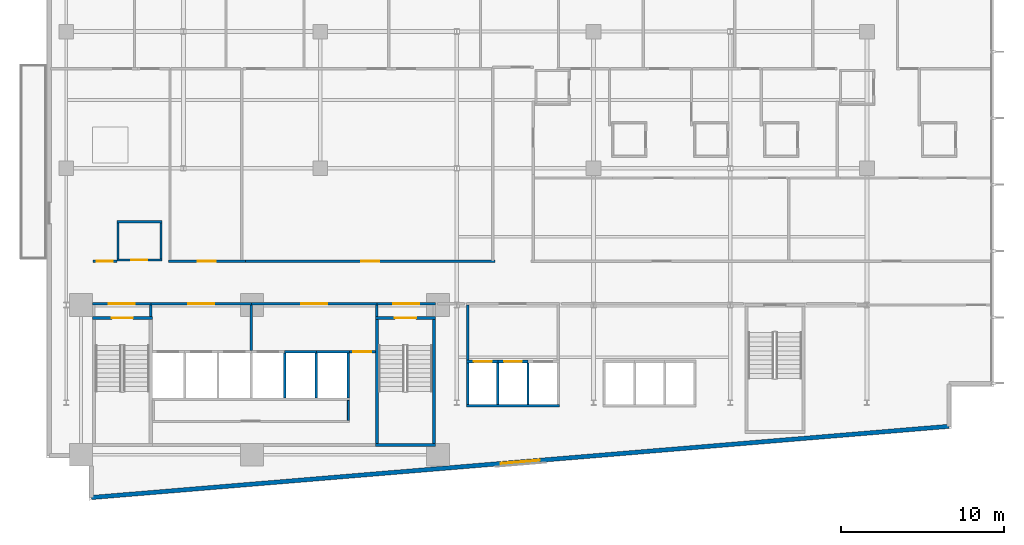
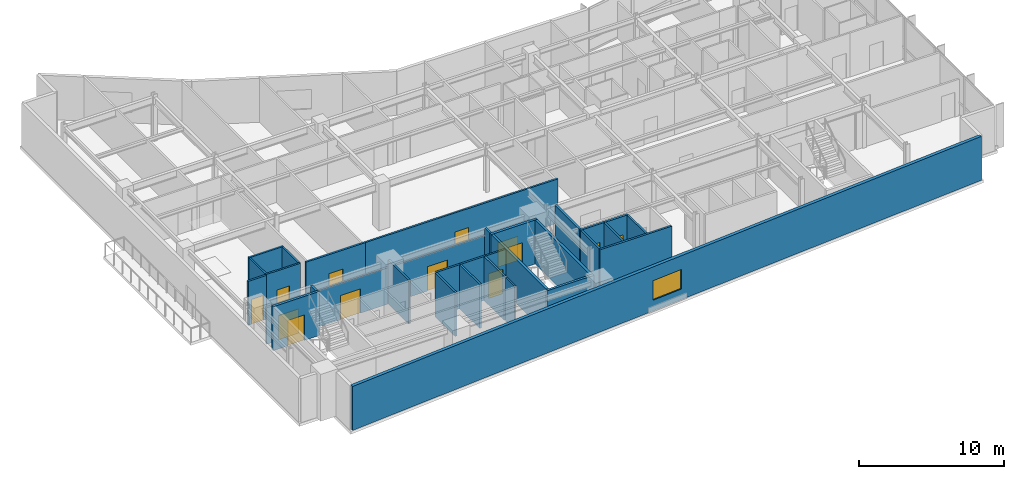
# One storey, part 12 of 22: 34 walls, 13 doors, 1 window, 14 openings.
"""IFC4 building model written with IfcOpenShell, lengths in metres."""

from ifc_helpers import new_model, si_unit, direction, frame, frame_2d, origin, place, context, subcontext, project, spatial, rectangle, extrude, material, layer, layer_set, type_object, element, fill, save


model = new_model("IFC4")

# Units and contexts
model_context = context("Model", 3, precision=1e-05, world=origin(), true_north=direction((0.0, 1.0)))
body_context = subcontext(model_context, "Body", "Model", "MODEL_VIEW")
ifc_project = project(units=[si_unit("LENGTHUNIT", "METRE"), si_unit("AREAUNIT", "SQUARE_METRE"), si_unit("VOLUMEUNIT", "CUBIC_METRE"), si_unit("PLANEANGLEUNIT", "RADIAN"), si_unit("MASSUNIT", "GRAM", prefix="KILO")], contexts=[model_context])

# Site, building, storey
site_placement = place(None, origin())
site = spatial("IfcSite", under=ifc_project, at=site_placement, CompositionType="ELEMENT")
building_placement = place(site_placement, origin())
building = spatial("IfcBuilding", under=site, at=building_placement, Name="Varnakote Quay Hospital", CompositionType="ELEMENT")
storey_placement = place(building_placement, frame((0.0, 0.0, 65.949951171875)))
storey = spatial("IfcBuildingStorey", under=building, at=storey_placement, Name="L16", CompositionType="ELEMENT", Elevation=65.949951171875)

# Wall, opening, door
ifc_material_1 = material(Name="Fire-rated acoustic gypsum stud wall", Category="gypsum")
ifc_layer_1 = layer(ifc_material_1, 0.159912109375)
ifc_layer_set_1 = layer_set([ifc_layer_1], Name="Fire-rated acoustic gypsum stud wall")
wall_type_1 = type_object("IfcWallType", Name="WL-COMP-160", PredefinedType="PARTITIONING", material=ifc_layer_set_1)
wall_1_placement = place(storey_placement, frame((2.800048828125, 12.080078125, 0.0), z_axis=(0.0, 0.0, 1.0), x_axis=(1.0, 0.0, 0.0)))
wall_1 = element("IfcWall", 1, at=wall_1_placement, inside=storey, type_object=wall_type_1, Name="L16 West Stair Vestibule Smoke Wall", PredefinedType="PARTITIONING", context=body_context, shape_type="SweptSolid", body=[
    extrude(rectangle(XDim=3.599853515625, YDim=0.159912109375, at=frame_2d((1.7998046875, 0.0))), origin(), (0.0, 0.0, 1.0), 3.072998046875),
])
opening_1_placement = place(wall_1_placement, frame((1.0, 0.0, 0.0)))
opening_1 = element("IfcOpeningElement", 2, at=opening_1_placement, cuts=wall_1, Name="Opening D-ST1L-L16", PredefinedType="OPENING", context=body_context, shape_type="SweptSolid", body=[
    extrude(rectangle(XDim=1.60009765625, YDim=2.050048828125, at=frame_2d((0.800048828125, 1.02490234375))), frame((0.0, 0.08984375, 0.0), z_axis=(0.0, -1.0, 0.0), x_axis=(1.0, 0.0, 0.0)), (0.0, 0.0, 1.0), 0.179931640625),
])
ifc_material_2 = material(Name="Fire-rated double smoke lobby door")
door_type_1 = type_object("IfcDoorType", Name="DR-LOBBY-FD60S-1600x2150", OperationType="NOTDEFINED", PredefinedType="DOOR", material=ifc_material_2)
door_1_placement = place(opening_1_placement, origin())
door_1 = element("IfcDoor", 3, at=door_1_placement, inside=storey, type_object=door_type_1, Name="L16 West Stair Vestibule Smoke Door", OperationType="DOUBLE_DOOR_SINGLE_SWING", OverallHeight=2.050048828125, OverallWidth=1.60009765625, PredefinedType="DOOR", context=body_context, shape_type="SweptSolid", body=[
    extrude(rectangle(XDim=1.60009765625, YDim=2.050048828125, at=frame_2d((0.800048828125, 1.02490234375))), frame((0.0, 0.02490234375, 0.0), z_axis=(0.0, -1.0, 0.0), x_axis=(1.0, 0.0, 0.0)), (0.0, 0.0, 1.0), 0.050048828125),
])
fill(opening_1, door_1)

# Wall
wall_2_placement = place(storey_placement, frame((6.39990234375, 11.300048828125, 0.0), z_axis=(0.0, 0.0, 1.0), x_axis=(0.0, 1.0, 0.0)))
element("IfcWall", 4, at=wall_2_placement, inside=storey, type_object=wall_type_1, Name="L16 Firefighting Lobby West Wall", PredefinedType="PARTITIONING", context=body_context, shape_type="SweptSolid", body=[
    extrude(rectangle(XDim=0.699951171875, YDim=0.159912109375, at=frame_2d((0.35009765625, 0.0))), origin(), (0.0, 0.0, 1.0), 3.7099609375),
])

# Wall, opening, door
wall_3_placement = place(storey_placement, frame((6.39990234375, 12.080078125, 0.0), z_axis=(0.0, 0.0, 1.0), x_axis=(1.0, 0.0, 0.0)))
wall_3 = element("IfcWall", 5, at=wall_3_placement, inside=storey, type_object=wall_type_1, Name="L16 Firefighting Lift Lobby Compartment Wall", PredefinedType="PARTITIONING", context=body_context, shape_type="SweptSolid", body=[
    extrude(rectangle(XDim=6.18017578125, YDim=0.159912109375, at=frame_2d((3.090087890625, 0.0))), origin(), (0.0, 0.0, 1.0), 3.072998046875),
])
opening_2_placement = place(wall_3_placement, frame((2.2900390625, 0.0, 0.0)))
opening_2 = element("IfcOpeningElement", 6, at=opening_2_placement, cuts=wall_3, Name="Opening D-FFL-L16", PredefinedType="OPENING", context=body_context, shape_type="SweptSolid", body=[
    extrude(rectangle(XDim=1.60009765625, YDim=2.050048828125, at=frame_2d((0.800048828125, 1.02490234375))), frame((0.0, 0.08984375, 0.0), z_axis=(0.0, -1.0, 0.0), x_axis=(1.0, 0.0, 0.0)), (0.0, 0.0, 1.0), 0.179931640625),
])
door_2_placement = place(opening_2_placement, origin())
door_2 = element("IfcDoor", 7, at=door_2_placement, inside=storey, type_object=door_type_1, Name="L16 Firefighting Smoke Vestibule Door", OperationType="DOUBLE_DOOR_SINGLE_SWING", OverallHeight=2.050048828125, OverallWidth=1.60009765625, PredefinedType="DOOR", context=body_context, shape_type="SweptSolid", body=[
    extrude(rectangle(XDim=1.60009765625, YDim=2.050048828125, at=frame_2d((0.800048828125, 1.02490234375))), frame((0.0, 0.02490234375, 0.0), z_axis=(0.0, -1.0, 0.0), x_axis=(1.0, 0.0, 0.0)), (0.0, 0.0, 1.0), 0.050048828125),
])
fill(opening_2, door_2)

# Wall
wall_4_placement = place(storey_placement, frame((12.580078125, 9.2099609375, 0.0), z_axis=(0.0, 0.0, 1.0), x_axis=(0.0, 1.0, 0.0)))
element("IfcWall", 8, at=wall_4_placement, inside=storey, type_object=wall_type_1, Name="L16 Firefighting to Service Lobby Wall", PredefinedType="PARTITIONING", context=body_context, shape_type="SweptSolid", body=[
    extrude(rectangle(XDim=2.7900390625, YDim=0.159912109375, at=frame_2d((1.39501953125, 0.0))), origin(), (0.0, 0.0, 1.0), 3.7099609375),
])

# Wall, opening, door
wall_5_placement = place(storey_placement, frame((12.580078125, 12.080078125, 0.0), z_axis=(0.0, 0.0, 1.0), x_axis=(1.0, 0.0, 0.0)))
wall_5 = element("IfcWall", 9, at=wall_5_placement, inside=storey, type_object=wall_type_1, Name="L16 Clinical Bed Lift Lobby Wall", PredefinedType="PARTITIONING", context=body_context, shape_type="SweptSolid", body=[
    extrude(rectangle(XDim=7.699951171875, YDim=0.159912109375, at=frame_2d((3.85009765625, 0.0))), origin(), (0.0, 0.0, 1.0), 3.072998046875),
])
opening_3_placement = place(wall_5_placement, frame((3.050048828125, 0.0, 0.0)))
opening_3 = element("IfcOpeningElement", 10, at=opening_3_placement, cuts=wall_5, Name="Opening D-SVL-L16", PredefinedType="OPENING", context=body_context, shape_type="SweptSolid", body=[
    extrude(rectangle(XDim=1.60009765625, YDim=2.050048828125, at=frame_2d((0.800048828125, 1.02490234375))), frame((0.0, 0.08984375, 0.0), z_axis=(0.0, -1.0, 0.0), x_axis=(1.0, 0.0, 0.0)), (0.0, 0.0, 1.0), 0.179931640625),
])
door_3_placement = place(opening_3_placement, origin())
door_3 = element("IfcDoor", 11, at=door_3_placement, inside=storey, type_object=door_type_1, Name="L16 Clinical Core Smoke Vestibule Door", OperationType="DOUBLE_DOOR_SINGLE_SWING", OverallHeight=2.050048828125, OverallWidth=1.60009765625, PredefinedType="DOOR", context=body_context, shape_type="SweptSolid", body=[
    extrude(rectangle(XDim=1.60009765625, YDim=2.050048828125, at=frame_2d((0.800048828125, 1.02490234375))), frame((0.0, 0.02490234375, 0.0), z_axis=(0.0, -1.0, 0.0), x_axis=(1.0, 0.0, 0.0)), (0.0, 0.0, 1.0), 0.050048828125),
])
fill(opening_3, door_3)

# Wall
wall_6_placement = place(storey_placement, frame((20.280029296875, 11.300048828125, 0.0), z_axis=(0.0, 0.0, 1.0), x_axis=(0.0, 1.0, 0.0)))
element("IfcWall", 12, at=wall_6_placement, inside=storey, type_object=wall_type_1, Name="L16 East Stair Vestibule Divider Wall", PredefinedType="PARTITIONING", context=body_context, shape_type="SweptSolid", body=[
    extrude(rectangle(XDim=0.699951171875, YDim=0.159912109375, at=frame_2d((0.35009765625, 0.0))), origin(), (0.0, 0.0, 1.0), 3.7099609375),
])

# Wall, opening, door
wall_7_placement = place(storey_placement, frame((20.280029296875, 12.080078125, 0.0), z_axis=(0.0, 0.0, 1.0), x_axis=(1.0, 0.0, 0.0)))
wall_7 = element("IfcWall", 13, at=wall_7_placement, inside=storey, type_object=wall_type_1, Name="L16 East Stair Vestibule Smoke Wall", PredefinedType="PARTITIONING", context=body_context, shape_type="SweptSolid", body=[
    extrude(rectangle(XDim=3.619873046875, YDim=0.159912109375, at=frame_2d((1.81005859375, 0.0))), origin(), (0.0, 0.0, 1.0), 3.072998046875),
])
opening_4_placement = place(wall_7_placement, frame((1.010009765625, 0.0, 0.0)))
opening_4 = element("IfcOpeningElement", 14, at=opening_4_placement, cuts=wall_7, Name="Opening D-ST2L-L16", PredefinedType="OPENING", context=body_context, shape_type="SweptSolid", body=[
    extrude(rectangle(XDim=1.60009765625, YDim=2.050048828125, at=frame_2d((0.800048828125, 1.02490234375))), frame((0.0, 0.08984375, 0.0), z_axis=(0.0, -1.0, 0.0), x_axis=(1.0, 0.0, 0.0)), (0.0, 0.0, 1.0), 0.179931640625),
])
door_4_placement = place(opening_4_placement, origin())
door_4 = element("IfcDoor", 15, at=door_4_placement, inside=storey, type_object=door_type_1, Name="L16 East Stair Vestibule Smoke Door", OperationType="DOUBLE_DOOR_SINGLE_SWING", OverallHeight=2.050048828125, OverallWidth=1.60009765625, PredefinedType="DOOR", context=body_context, shape_type="SweptSolid", body=[
    extrude(rectangle(XDim=1.60009765625, YDim=2.050048828125, at=frame_2d((0.800048828125, 1.02490234375))), frame((0.0, 0.02490234375, 0.0), z_axis=(0.0, -1.0, 0.0), x_axis=(1.0, 0.0, 0.0)), (0.0, 0.0, 1.0), 0.050048828125),
])
fill(opening_4, door_4)

# Wall
wall_8_placement = place(storey_placement, frame((25.8701171875, 8.610107421875, 0.0), z_axis=(0.0, 0.0, 1.0), x_axis=(0.0, 1.0, 0.0)))
element("IfcWall", 16, at=wall_8_placement, inside=storey, type_object=wall_type_1, Name="L16 Low-Rise Lift Lobby West Wall", PredefinedType="PARTITIONING", context=body_context, shape_type="SweptSolid", body=[
    extrude(rectangle(XDim=3.389892578125, YDim=0.159912109375, at=frame_2d((1.69482421875, 0.0))), origin(), (0.0, 0.0, 1.0), 3.7099609375),
])

# Wall, opening, window
ifc_material_3 = material(Name="Precast concrete N50 (f'c 50 MPa)", Category="concrete")
ifc_layer_2 = layer(ifc_material_3, 0.260009765625)
ifc_layer_set_2 = layer_set([ifc_layer_2], Name="Precast concrete N50 (f'c 50 MPa)")
wall_type_2 = type_object("IfcWallType", Name="WL-EXT-BRICK-260", PredefinedType="STANDARD", material=ifc_layer_set_2)
wall_9_placement = place(storey_placement, frame((2.760009765625, 0.173828125, 0.0), z_axis=(0.0, 0.0, 1.0), x_axis=(0.996571478456, 0.082736257641, 0.0)))
wall_9 = element("IfcWall", 17, at=wall_9_placement, inside=storey, type_object=wall_type_2, Name="L16 Brick-Faced Precast Exterior Wall", PredefinedType="STANDARD", context=body_context, shape_type="SweptSolid", body=[
    extrude(rectangle(XDim=52.861083984375, YDim=0.260009765625, at=frame_2d((26.4306640625, 0.0))), origin(), (0.0, 0.0, 1.0), 3.7099609375),
])
opening_5_placement = place(wall_9_placement, frame((25.230712890625, 0.0, 0.89990234375)))
opening_5 = element("IfcOpeningElement", 18, at=opening_5_placement, cuts=wall_9, Name="Opening WN-0078", PredefinedType="OPENING", context=body_context, shape_type="SweptSolid", body=[
    extrude(rectangle(XDim=2.39990234375, YDim=1.64990234375, at=frame_2d((1.199951171875, 0.824951171875))), frame((0.0, 0.139892578125, 0.0), z_axis=(0.0, -1.0, 0.0), x_axis=(1.0, 0.0, 0.0)), (0.0, 0.0, 1.0), 0.280029296875),
])
ifc_material_4 = material(Name="Double-glazed low-E solar glass", Category="glass")
window_type = type_object("IfcWindowType", Name="WIN-CLIN-2400x1650", PartitioningType="SINGLE_PANEL", PredefinedType="WINDOW", material=ifc_material_4)
window_placement = place(opening_5_placement, origin())
window = element("IfcWindow", 19, at=window_placement, inside=storey, type_object=window_type, Name="L16 Solar-Control Clinical Window", OverallHeight=1.64990234375, OverallWidth=2.39990234375, PartitioningType="SINGLE_PANEL", PredefinedType="WINDOW", context=body_context, shape_type="SweptSolid", body=[
    extrude(rectangle(XDim=2.39990234375, YDim=1.64990234375, at=frame_2d((1.199951171875, 0.824951171875))), frame((0.0, 0.030029296875, 0.0), z_axis=(0.0, -1.0, 0.0), x_axis=(1.0, 0.0, 0.0)), (0.0, 0.0, 1.0), 0.06005859375),
])
fill(opening_5, window)

# Walls
ifc_material_5 = material(Name="Concrete N50 (f'c 50 MPa)", Category="concrete")
ifc_layer_3 = layer(ifc_material_5, 0.14990234375)
ifc_layer_set_3 = layer_set([ifc_layer_3], Name="Concrete N50 (f'c 50 MPa)")
wall_type_3 = type_object("IfcWallType", Name="WL-SHAFT-N50-150", PredefinedType="SHEAR", material=ifc_layer_set_3)
for number, where, z_axis, x_axis, name in (
    (20, (14.625, 6.300048828125, 0.0), (0.0, 0.0, 1.0), (0.0, 1.0, 0.0), "L16 LF-SV2 Hoistway Divider Wall"),
    (21, (16.574951171875, 6.300048828125, 0.0), (0.0, 0.0, 1.0), (0.0, 1.0, 0.0), "L16 LF-PH1 Hoistway Divider Wall"),
):
    element("IfcWall", number, at=place(storey_placement, frame(where, z_axis=z_axis, x_axis=x_axis)), inside=storey, type_object=wall_type_3, Name=name, PredefinedType="SHEAR", context=body_context, shape_type="SweptSolid", body=[
        extrude(rectangle(XDim=2.75, YDim=0.14990234375, at=frame_2d((1.375, 0.0))), origin(), (0.0, 0.0, 1.0), 3.7099609375),
    ])
for number, where, z_axis, x_axis, name in (
    (22, (27.72509765625, 5.89990234375, 0.0), (0.0, 0.0, 1.0), (0.0, 1.0, 0.0), "L16 LF-PL1 Hoistway Divider Wall"),
    (23, (29.574951171875, 5.89990234375, 0.0), (0.0, 0.0, 1.0), (0.0, 1.0, 0.0), "L16 LF-PL2 Hoistway Divider Wall"),
):
    element("IfcWall", number, at=place(storey_placement, frame(where, z_axis=z_axis, x_axis=x_axis)), inside=storey, type_object=wall_type_3, Name=name, PredefinedType="SHEAR", context=body_context, shape_type="SweptSolid", body=[
        extrude(rectangle(XDim=2.550048828125, YDim=0.14990234375, at=frame_2d((1.27490234375, 0.0))), origin(), (0.0, 0.0, 1.0), 3.7099609375),
    ])
ifc_material_6 = material(Name="Concrete N50 (f'c 50 MPa)", Category="concrete")
ifc_layer_4 = layer(ifc_material_6, 0.159912109375)
ifc_layer_set_4 = layer_set([ifc_layer_4], Name="Concrete N50 (f'c 50 MPa)")
wall_type_4 = type_object("IfcWallType", Name="WL-SHAFT-N50-160", PredefinedType="SHEAR", material=ifc_layer_set_4)
wall_10_placement = place(storey_placement, frame((18.530029296875, 6.300048828125, 0.0), z_axis=(0.0, 0.0, 1.0), x_axis=(0.0, 1.0, 0.0)))
element("IfcWall", 24, at=wall_10_placement, inside=storey, type_object=wall_type_4, Name="L16 REAR Lift Bank East Shear Wall", PredefinedType="SHEAR", context=body_context, shape_type="SweptSolid", body=[
    extrude(rectangle(XDim=2.75, YDim=0.159912109375, at=frame_2d((1.375, 0.0))), origin(), (0.0, 0.0, 1.0), 3.7099609375),
])
wall_11_placement = place(storey_placement, frame((14.625, 9.1298828125, 0.0), z_axis=(0.0, 0.0, 1.0), x_axis=(1.0, 0.0, 0.0)))
element("IfcWall", 25, at=wall_11_placement, inside=storey, type_object=wall_type_4, Name="L16 LF-PH1 Hoistway Front Wall", PredefinedType="SHEAR", context=body_context, shape_type="SweptSolid", body=[
    extrude(rectangle(XDim=1.949951171875, YDim=0.159912109375, at=frame_2d((0.97509765625, 0.0))), origin(), (0.0, 0.0, 1.0), 3.7099609375),
])
wall_12_placement = place(storey_placement, frame((16.574951171875, 9.1298828125, 0.0), z_axis=(0.0, 0.0, 1.0), x_axis=(1.0, 0.0, 0.0)))
element("IfcWall", 26, at=wall_12_placement, inside=storey, type_object=wall_type_4, Name="L16 LF-PH2 Hoistway Front Wall", PredefinedType="SHEAR", context=body_context, shape_type="SweptSolid", body=[
    extrude(rectangle(XDim=2.03515625, YDim=0.159912109375, at=frame_2d((1.017578125, 0.0))), origin(), (0.0, 0.0, 1.0), 3.7099609375),
])
wall_13_placement = place(storey_placement, frame((25.7900390625, 5.820068359375, 0.0), z_axis=(0.0, 0.0, 1.0), x_axis=(1.0, 0.0, 0.0)))
element("IfcWall", 27, at=wall_13_placement, inside=storey, type_object=wall_type_4, Name="L16 LOW Lift Bank Back Shear Wall", PredefinedType="SHEAR", context=body_context, shape_type="SweptSolid", body=[
    extrude(rectangle(XDim=5.719970703125, YDim=0.159912109375, at=frame_2d((2.85986328125, 0.0))), origin(), (0.0, 0.0, 1.0), 3.7099609375),
])
wall_14_placement = place(storey_placement, frame((25.8701171875, 5.89990234375, 0.0), z_axis=(0.0, 0.0, 1.0), x_axis=(0.0, 1.0, 0.0)))
element("IfcWall", 28, at=wall_14_placement, inside=storey, type_object=wall_type_4, Name="L16 LOW Lift Bank West Shear Wall", PredefinedType="SHEAR", context=body_context, shape_type="SweptSolid", body=[
    extrude(rectangle(XDim=2.550048828125, YDim=0.159912109375, at=frame_2d((1.27490234375, 0.0))), origin(), (0.0, 0.0, 1.0), 3.7099609375),
])

# Wall, opening, door
wall_15_placement = place(storey_placement, frame((25.7900390625, 8.530029296875, 0.0), z_axis=(0.0, 0.0, 1.0), x_axis=(1.0, 0.0, 0.0)))
wall_15 = element("IfcWall", 29, at=wall_15_placement, inside=storey, type_object=wall_type_4, Name="L16 LF-PL1 Hoistway Front Wall", PredefinedType="SHEAR", context=body_context, shape_type="SweptSolid", body=[
    extrude(rectangle(XDim=1.93505859375, YDim=0.159912109375, at=frame_2d((0.967529296875, 0.0))), origin(), (0.0, 0.0, 1.0), 3.7099609375),
])
opening_6_placement = place(wall_15_placement, frame((0.4599609375, 0.0, 0.0)))
opening_6 = element("IfcOpeningElement", 30, at=opening_6_placement, cuts=wall_15, Name="Opening LD-PL1-L16", PredefinedType="OPENING", context=body_context, shape_type="SweptSolid", body=[
    extrude(rectangle(XDim=1.10009765625, YDim=2.14990234375, at=frame_2d((0.550048828125, 1.074951171875))), frame((0.0, 0.08984375, 0.0), z_axis=(0.0, -1.0, 0.0), x_axis=(1.0, 0.0, 0.0)), (0.0, 0.0, 1.0), 0.179931640625),
])
ifc_material_7 = material(Name="Brushed bronze lift landing sliding door")
door_type_2 = type_object("IfcDoorType", Name="DR-LIFT-LD-1100x2150", OperationType="NOTDEFINED", PredefinedType="DOOR", material=ifc_material_7)
door_5_placement = place(opening_6_placement, origin())
door_5 = element("IfcDoor", 31, at=door_5_placement, inside=storey, type_object=door_type_2, Name="L16 LF-PL1 Lift Landing Sliding Door", OperationType="SLIDING_TO_LEFT", OverallHeight=2.14990234375, OverallWidth=1.10009765625, PredefinedType="DOOR", context=body_context, shape_type="SweptSolid", body=[
    extrude(rectangle(XDim=1.10009765625, YDim=2.14990234375, at=frame_2d((0.550048828125, 1.074951171875))), frame((0.0, 0.02490234375, 0.0), z_axis=(0.0, -1.0, 0.0), x_axis=(1.0, 0.0, 0.0)), (0.0, 0.0, 1.0), 0.050048828125),
])
fill(opening_6, door_5)

wall_16_placement = place(storey_placement, frame((27.72509765625, 8.530029296875, 0.0), z_axis=(0.0, 0.0, 1.0), x_axis=(1.0, 0.0, 0.0)))
wall_16 = element("IfcWall", 32, at=wall_16_placement, inside=storey, type_object=wall_type_4, Name="L16 LF-PL2 Hoistway Front Wall", PredefinedType="SHEAR", context=body_context, shape_type="SweptSolid", body=[
    extrude(rectangle(XDim=1.849853515625, YDim=0.159912109375, at=frame_2d((0.9248046875, 0.0))), origin(), (0.0, 0.0, 1.0), 3.7099609375),
])
opening_7_placement = place(wall_16_placement, frame((0.375, 0.0, 0.0)))
opening_7 = element("IfcOpeningElement", 33, at=opening_7_placement, cuts=wall_16, Name="Opening LD-PL2-L16", PredefinedType="OPENING", context=body_context, shape_type="SweptSolid", body=[
    extrude(rectangle(XDim=1.10009765625, YDim=2.14990234375, at=frame_2d((0.550048828125, 1.074951171875))), frame((0.0, 0.08984375, 0.0), z_axis=(0.0, -1.0, 0.0), x_axis=(1.0, 0.0, 0.0)), (0.0, 0.0, 1.0), 0.179931640625),
])
door_6_placement = place(opening_7_placement, origin())
door_6 = element("IfcDoor", 34, at=door_6_placement, inside=storey, type_object=door_type_2, Name="L16 LF-PL2 Lift Landing Sliding Door", OperationType="SLIDING_TO_LEFT", OverallHeight=2.14990234375, OverallWidth=1.10009765625, PredefinedType="DOOR", context=body_context, shape_type="SweptSolid", body=[
    extrude(rectangle(XDim=1.10009765625, YDim=2.14990234375, at=frame_2d((0.550048828125, 1.074951171875))), frame((0.0, 0.02490234375, 0.0), z_axis=(0.0, -1.0, 0.0), x_axis=(1.0, 0.0, 0.0)), (0.0, 0.0, 1.0), 0.050048828125),
])
fill(opening_7, door_6)

ifc_material_8 = material(Name="Concrete N50 (f'c 50 MPa)", Category="concrete")
ifc_layer_5 = layer(ifc_material_8, 0.199951171875)
ifc_layer_set_5 = layer_set([ifc_layer_5], Name="Concrete N50 (f'c 50 MPa)")
wall_type_5 = type_object("IfcWallType", Name="WL-SHAFT-N50-200", PredefinedType="SHEAR", material=ifc_layer_set_5)
wall_17_placement = place(storey_placement, frame((2.800048828125, 11.199951171875, 0.0), z_axis=(0.0, 0.0, 1.0), x_axis=(1.0, 0.0, 0.0)))
wall_17 = element("IfcWall", 35, at=wall_17_placement, inside=storey, type_object=wall_type_5, Name="L16 Stair ST1 Exit Wall", PredefinedType="SHEAR", context=body_context, shape_type="SweptSolid", body=[
    extrude(rectangle(XDim=3.699951171875, YDim=0.199951171875, at=frame_2d((1.85009765625, 0.0))), origin(), (0.0, 0.0, 1.0), 3.7099609375),
])
opening_8_placement = place(wall_17_placement, frame((1.199951171875, 0.0, 0.0)))
opening_8 = element("IfcOpeningElement", 36, at=opening_8_placement, cuts=wall_17, Name="Opening D-ST1-L16", PredefinedType="OPENING", context=body_context, shape_type="SweptSolid", body=[
    extrude(rectangle(XDim=1.300048828125, YDim=2.14990234375, at=frame_2d((0.64990234375, 1.074951171875))), frame((0.0, 0.10986328125, 0.0), z_axis=(0.0, -1.0, 0.0), x_axis=(1.0, 0.0, 0.0)), (0.0, 0.0, 1.0), 0.219970703125),
])
ifc_material_9 = material(Name="Fire-rated ceramic-glazed timber exit door", Category="wood")
door_type_3 = type_object("IfcDoorType", Name="DR-STAIR-FD60S-1300x2150", OperationType="NOTDEFINED", PredefinedType="DOOR", material=ifc_material_9)
door_7_placement = place(opening_8_placement, origin())
door_7 = element("IfcDoor", 37, at=door_7_placement, inside=storey, type_object=door_type_3, Name="L16 Stair ST1 Fire Exit Door", OperationType="SINGLE_SWING_RIGHT", OverallHeight=2.14990234375, OverallWidth=1.300048828125, PredefinedType="DOOR", context=body_context, shape_type="SweptSolid", body=[
    extrude(rectangle(XDim=1.300048828125, YDim=2.14990234375, at=frame_2d((0.64990234375, 1.074951171875))), frame((0.0, 0.02490234375, 0.0), z_axis=(0.0, -1.0, 0.0), x_axis=(1.0, 0.0, 0.0)), (0.0, 0.0, 1.0), 0.050048828125),
])
fill(opening_8, door_7)

# Walls
wall_18_placement = place(storey_placement, frame((20.199951171875, 3.39990234375, 0.0), z_axis=(0.0, 0.0, 1.0), x_axis=(1.0, 0.0, 0.0)))
element("IfcWall", 38, at=wall_18_placement, inside=storey, type_object=wall_type_5, Name="L16 Stair ST2 South Shaft Wall", PredefinedType="SHEAR", context=body_context, shape_type="SweptSolid", body=[
    extrude(rectangle(XDim=3.699951171875, YDim=0.199951171875, at=frame_2d((1.85009765625, 0.0))), origin(), (0.0, 0.0, 1.0), 3.7099609375),
])
for number, where, z_axis, x_axis, name in (
    (39, (20.300048828125, 3.5, 0.0), (0.0, 0.0, 1.0), (0.0, 1.0, 0.0), "L16 Stair ST2 West Shaft Wall"),
    (40, (23.800048828125, 3.5, 0.0), (0.0, 0.0, 1.0), (0.0, 1.0, 0.0), "L16 Stair ST2 East Shaft Wall"),
):
    element("IfcWall", number, at=place(storey_placement, frame(where, z_axis=z_axis, x_axis=x_axis)), inside=storey, type_object=wall_type_5, Name=name, PredefinedType="SHEAR", context=body_context, shape_type="SweptSolid", body=[
        extrude(rectangle(XDim=7.60009765625, YDim=0.199951171875, at=frame_2d((3.800048828125, 0.0))), origin(), (0.0, 0.0, 1.0), 3.7099609375),
    ])

# Wall, opening, door
wall_19_placement = place(storey_placement, frame((20.199951171875, 11.199951171875, 0.0), z_axis=(0.0, 0.0, 1.0), x_axis=(1.0, 0.0, 0.0)))
wall_19 = element("IfcWall", 41, at=wall_19_placement, inside=storey, type_object=wall_type_5, Name="L16 Stair ST2 Exit Wall", PredefinedType="SHEAR", context=body_context, shape_type="SweptSolid", body=[
    extrude(rectangle(XDim=3.699951171875, YDim=0.199951171875, at=frame_2d((1.85009765625, 0.0))), origin(), (0.0, 0.0, 1.0), 3.7099609375),
])
opening_9_placement = place(wall_19_placement, frame((1.199951171875, 0.0, 0.0)))
opening_9 = element("IfcOpeningElement", 42, at=opening_9_placement, cuts=wall_19, Name="Opening D-ST2-L16", PredefinedType="OPENING", context=body_context, shape_type="SweptSolid", body=[
    extrude(rectangle(XDim=1.300048828125, YDim=2.14990234375, at=frame_2d((0.64990234375, 1.074951171875))), frame((0.0, 0.10986328125, 0.0), z_axis=(0.0, -1.0, 0.0), x_axis=(1.0, 0.0, 0.0)), (0.0, 0.0, 1.0), 0.219970703125),
])
door_8_placement = place(opening_9_placement, origin())
door_8 = element("IfcDoor", 43, at=door_8_placement, inside=storey, type_object=door_type_3, Name="L16 Stair ST2 Fire Exit Door", OperationType="SINGLE_SWING_LEFT", OverallHeight=2.14990234375, OverallWidth=1.300048828125, PredefinedType="DOOR", context=body_context, shape_type="SweptSolid", body=[
    extrude(rectangle(XDim=1.300048828125, YDim=2.14990234375, at=frame_2d((0.64990234375, 1.074951171875))), frame((0.0, 0.02490234375, 0.0), z_axis=(0.0, -1.0, 0.0), x_axis=(1.0, 0.0, 0.0)), (0.0, 0.0, 1.0), 0.050048828125),
])
fill(opening_9, door_8)

# Wall
ifc_material_10 = material(Name="Smoke-proof clinical partition", Category="gypsum")
ifc_layer_6 = layer(ifc_material_10, 0.1201171875)
ifc_layer_set_6 = layer_set([ifc_layer_6], Name="Smoke-proof clinical partition")
wall_type_6 = type_object("IfcWallType", Name="WL-SMOKE-120", PredefinedType="PARTITIONING", material=ifc_layer_set_6)
wall_20_placement = place(storey_placement, frame((18.5400390625, 4.919921875, 0.0), z_axis=(0.0, 0.0, 1.0), x_axis=(0.0, 1.0, 0.0)))
element("IfcWall", 44, at=wall_20_placement, inside=storey, type_object=wall_type_6, Name="L16 Core Service Strip East Wall", PredefinedType="PARTITIONING", context=body_context, shape_type="SweptSolid", body=[
    extrude(rectangle(XDim=1.219970703125, YDim=0.1201171875, at=frame_2d((0.60986328125, 0.0))), origin(), (0.0, 0.0, 1.0), 3.7099609375),
])

# Wall, opening, door
ifc_material_11 = material(Name="Fire-rated clinical gypsum partition", Category="gypsum")
ifc_layer_7 = layer(ifc_material_11, 0.139892578125)
ifc_layer_set_7 = layer_set([ifc_layer_7], Name="Fire-rated clinical gypsum partition")
wall_type_7 = type_object("IfcWallType", Name="WL-WARD-140", PredefinedType="PARTITIONING", material=ifc_layer_set_7)
wall_21_placement = place(storey_placement, frame((18.610107421875, 9.1298828125, 0.0), z_axis=(0.0, 0.0, 1.0), x_axis=(1.0, 0.0, 0.0)))
wall_21 = element("IfcWall", 45, at=wall_21_placement, inside=storey, type_object=wall_type_7, Name="L16 Core Service Corridor North Door Wall", PredefinedType="PARTITIONING", context=body_context, shape_type="SweptSolid", body=[
    extrude(rectangle(XDim=1.58984375, YDim=0.139892578125, at=frame_2d((0.794921875, 0.0))), origin(), (0.0, 0.0, 1.0), 3.7099609375),
])
opening_10_placement = place(wall_21_placement, frame((0.239990234375, 0.0, 0.0)))
opening_10 = element("IfcOpeningElement", 46, at=opening_10_placement, cuts=wall_21, Name="Opening D-CSRV-L16", PredefinedType="OPENING", context=body_context, shape_type="SweptSolid", body=[
    extrude(rectangle(XDim=1.10009765625, YDim=2.10009765625, at=frame_2d((0.550048828125, 1.050048828125))), frame((0.0, 0.079833984375, 0.0), z_axis=(0.0, -1.0, 0.0), x_axis=(1.0, 0.0, 0.0)), (0.0, 0.0, 1.0), 0.159912109375),
])
ifc_material_12 = material(Name="Acoustic timber clinical consult door", Category="wood")
door_type_4 = type_object("IfcDoorType", Name="DR-CLIN-FD30S-1100x2100", OperationType="NOTDEFINED", PredefinedType="DOOR", material=ifc_material_12)
door_9_placement = place(opening_10_placement, origin())
door_9 = element("IfcDoor", 47, at=door_9_placement, inside=storey, type_object=door_type_4, Name="L16 Core Service Corridor Door", OperationType="SINGLE_SWING_RIGHT", OverallHeight=2.10009765625, OverallWidth=1.10009765625, PredefinedType="DOOR", context=body_context, shape_type="SweptSolid", body=[
    extrude(rectangle(XDim=1.10009765625, YDim=2.10009765625, at=frame_2d((0.550048828125, 1.050048828125))), frame((0.0, 0.02490234375, 0.0), z_axis=(0.0, -1.0, 0.0), x_axis=(1.0, 0.0, 0.0)), (0.0, 0.0, 1.0), 0.050048828125),
])
fill(opening_10, door_9)

wall_22_placement = place(storey_placement, frame((4.31005859375, 14.77001953125, 0.0), z_axis=(0.0, 0.0, 1.0), x_axis=(1.0, 0.0, 0.0)))
wall_22 = element("IfcWall", 48, at=wall_22_placement, inside=storey, type_object=wall_type_7, Name="L16 Floor Unisex Accessible WC S Wall", PredefinedType="PARTITIONING", context=body_context, shape_type="SweptSolid", body=[
    extrude(rectangle(XDim=2.780029296875, YDim=0.139892578125, at=frame_2d((1.39013671875, 0.0))), origin(), (0.0, 0.0, 1.0), 3.7099609375),
])
opening_11_placement = place(wall_22_placement, frame((0.89990234375, 0.0, 0.0)))
opening_11 = element("IfcOpeningElement", 49, at=opening_11_placement, cuts=wall_22, Name="Opening D-L16-EW01", PredefinedType="OPENING", context=body_context, shape_type="SweptSolid", body=[
    extrude(rectangle(XDim=0.97998046875, YDim=2.10009765625, at=frame_2d((0.489990234375, 1.050048828125))), frame((0.0, 0.079833984375, 0.0), z_axis=(0.0, -1.0, 0.0), x_axis=(1.0, 0.0, 0.0)), (0.0, 0.0, 1.0), 0.159912109375),
])
ifc_material_13 = material(Name="Accessible sanitary compartment door")
door_type_5 = type_object("IfcDoorType", Name="DR-WC-980x2100", OperationType="NOTDEFINED", PredefinedType="DOOR", material=ifc_material_13)
door_10_placement = place(opening_11_placement, origin())
door_10 = element("IfcDoor", 50, at=door_10_placement, inside=storey, type_object=door_type_5, Name="L16 Floor Unisex Accessible WC Door", OperationType="SINGLE_SWING_LEFT", OverallHeight=2.10009765625, OverallWidth=0.97998046875, PredefinedType="DOOR", context=body_context, shape_type="SweptSolid", body=[
    extrude(rectangle(XDim=0.97998046875, YDim=2.10009765625, at=frame_2d((0.489990234375, 1.050048828125))), frame((0.0, 0.02490234375, 0.0), z_axis=(0.0, -1.0, 0.0), x_axis=(1.0, 0.0, 0.0)), (0.0, 0.0, 1.0), 0.050048828125),
])
fill(opening_11, door_10)

# Walls
wall_23_placement = place(storey_placement, frame((4.31005859375, 17.110107421875, 0.0), z_axis=(0.0, 0.0, 1.0), x_axis=(1.0, 0.0, 0.0)))
element("IfcWall", 51, at=wall_23_placement, inside=storey, type_object=wall_type_7, Name="L16 Floor Unisex Accessible WC N Wall", PredefinedType="PARTITIONING", context=body_context, shape_type="SweptSolid", body=[
    extrude(rectangle(XDim=2.780029296875, YDim=0.139892578125, at=frame_2d((1.39013671875, 0.0))), origin(), (0.0, 0.0, 1.0), 3.7099609375),
])
for number, where, z_axis, x_axis, name in (
    (52, (4.3798828125, 14.840087890625, 0.0), (0.0, 0.0, 1.0), (0.0, 1.0, 0.0), "L16 Floor Unisex Accessible WC W Wall"),
    (53, (7.02001953125, 14.840087890625, 0.0), (0.0, 0.0, 1.0), (0.0, 1.0, 0.0), "L16 Floor Unisex Accessible WC E Wall"),
):
    element("IfcWall", number, at=place(storey_placement, frame(where, z_axis=z_axis, x_axis=x_axis)), inside=storey, type_object=wall_type_7, Name=name, PredefinedType="PARTITIONING", context=body_context, shape_type="SweptSolid", body=[
        extrude(rectangle(XDim=2.199951171875, YDim=0.139892578125, at=frame_2d((1.10009765625, 0.0))), origin(), (0.0, 0.0, 1.0), 3.7099609375),
    ])

# Wall, opening, door
ifc_material_14 = material(Name="Fire-rated clinical gypsum partition", Category="gypsum")
ifc_layer_8 = layer(ifc_material_14, 0.14990234375)
ifc_layer_set_8 = layer_set([ifc_layer_8], Name="Fire-rated clinical gypsum partition")
wall_type_8 = type_object("IfcWallType", Name="WL-WARD-150", PredefinedType="PARTITIONING", material=ifc_layer_set_8)
wall_24_placement = place(storey_placement, frame((4.30810546875, 14.679931640625, 0.0), z_axis=(0.0, 0.0, 1.0), x_axis=(-1.0, 0.0, 0.0)))
wall_24 = element("IfcWall", 54, at=wall_24_placement, inside=storey, type_object=wall_type_8, Name="L16 Clinical Interior Partition", PredefinedType="PARTITIONING", context=body_context, shape_type="SweptSolid", body=[
    extrude(rectangle(XDim=1.4580078125, YDim=0.14990234375, at=frame_2d((0.72900390625, 0.0))), origin(), (0.0, 0.0, 1.0), 3.7099609375),
])
opening_12_placement = place(wall_24_placement, frame((0.239013671875, 0.0, 0.0)))
opening_12 = element("IfcOpeningElement", 55, at=opening_12_placement, cuts=wall_24, Name="Opening D-L16-DLNG", PredefinedType="OPENING", context=body_context, shape_type="SweptSolid", body=[
    extrude(rectangle(XDim=0.97998046875, YDim=2.10009765625, at=frame_2d((0.489990234375, 1.050048828125))), frame((0.0, 0.0849609375, 0.0), z_axis=(0.0, -1.0, 0.0), x_axis=(1.0, 0.0, 0.0)), (0.0, 0.0, 1.0), 0.169921875),
])
door_11_placement = place(opening_12_placement, origin())
door_11 = element("IfcDoor", 56, at=door_11_placement, inside=storey, type_object=door_type_5, Name="L16 Waterfront Patient & Family Dayroom Door", OperationType="SINGLE_SWING_LEFT", OverallHeight=2.10009765625, OverallWidth=0.97998046875, PredefinedType="DOOR", context=body_context, shape_type="SweptSolid", body=[
    extrude(rectangle(XDim=0.97998046875, YDim=2.10009765625, at=frame_2d((0.489990234375, 1.050048828125))), frame((0.0, 0.02490234375, 0.0), z_axis=(0.0, -1.0, 0.0), x_axis=(1.0, 0.0, 0.0)), (0.0, 0.0, 1.0), 0.050048828125),
])
fill(opening_12, door_11)

wall_25_placement = place(storey_placement, frame((12.216064453125, 14.679931640625, 0.0), z_axis=(0.0, 0.0, 1.0), x_axis=(-1.0, 0.0, 0.0)))
wall_25 = element("IfcWall", 57, at=wall_25_placement, inside=storey, type_object=wall_type_8, Name="L16 Clinical Interior Partition", PredefinedType="PARTITIONING", context=body_context, shape_type="SweptSolid", body=[
    extrude(rectangle(XDim=4.741943359375, YDim=0.14990234375, at=frame_2d((2.37109375, 0.0))), origin(), (0.0, 0.0, 1.0), 3.7099609375),
])
opening_13_placement = place(wall_25_placement, frame((1.821044921875, 0.0, 0.0)))
opening_13 = element("IfcOpeningElement", 58, at=opening_13_placement, cuts=wall_25, Name="Opening D-L16-WPNT", PredefinedType="OPENING", context=body_context, shape_type="SweptSolid", body=[
    extrude(rectangle(XDim=1.10009765625, YDim=2.10009765625, at=frame_2d((0.550048828125, 1.050048828125))), frame((0.0, 0.0849609375, 0.0), z_axis=(0.0, -1.0, 0.0), x_axis=(1.0, 0.0, 0.0)), (0.0, 0.0, 1.0), 0.169921875),
])
door_12_placement = place(opening_13_placement, origin())
door_12 = element("IfcDoor", 59, at=door_12_placement, inside=storey, type_object=door_type_4, Name="L16 Ward Clinical Nutrition Pantry Door", OperationType="SINGLE_SWING_RIGHT", OverallHeight=2.10009765625, OverallWidth=1.10009765625, PredefinedType="DOOR", context=body_context, shape_type="SweptSolid", body=[
    extrude(rectangle(XDim=1.10009765625, YDim=2.10009765625, at=frame_2d((0.550048828125, 1.050048828125))), frame((0.0, 0.02490234375, 0.0), z_axis=(0.0, -1.0, 0.0), x_axis=(1.0, 0.0, 0.0)), (0.0, 0.0, 1.0), 0.050048828125),
])
fill(opening_13, door_12)

wall_26_placement = place(storey_placement, frame((27.5458984375, 14.679931640625, 0.0), z_axis=(0.0, 0.0, 1.0), x_axis=(-1.0, 0.0, 0.0)))
wall_26 = element("IfcWall", 60, at=wall_26_placement, inside=storey, type_object=wall_type_8, Name="L16 Clinical Interior Partition", PredefinedType="PARTITIONING", context=body_context, shape_type="SweptSolid", body=[
    extrude(rectangle(XDim=15.327880859375, YDim=0.14990234375, at=frame_2d((7.6640625, 0.0))), origin(), (0.0, 0.0, 1.0), 3.7099609375),
])
opening_14_placement = place(wall_26_placement, frame((7.114013671875, 0.0, 0.0)))
opening_14 = element("IfcOpeningElement", 61, at=opening_14_placement, cuts=wall_26, Name="Opening D-L16-MD01", PredefinedType="OPENING", context=body_context, shape_type="SweptSolid", body=[
    extrude(rectangle(XDim=1.10009765625, YDim=2.10009765625, at=frame_2d((0.550048828125, 1.050048828125))), frame((0.0, 0.0849609375, 0.0), z_axis=(0.0, -1.0, 0.0), x_axis=(1.0, 0.0, 0.0)), (0.0, 0.0, 1.0), 0.169921875),
])
door_13_placement = place(opening_14_placement, origin())
door_13 = element("IfcDoor", 62, at=door_13_placement, inside=storey, type_object=door_type_4, Name="L16 Patient Restorative Dining Room Door", OperationType="SINGLE_SWING_LEFT", OverallHeight=2.10009765625, OverallWidth=1.10009765625, PredefinedType="DOOR", context=body_context, shape_type="SweptSolid", body=[
    extrude(rectangle(XDim=1.10009765625, YDim=2.10009765625, at=frame_2d((0.550048828125, 1.050048828125))), frame((0.0, 0.02490234375, 0.0), z_axis=(0.0, -1.0, 0.0), x_axis=(1.0, 0.0, 0.0)), (0.0, 0.0, 1.0), 0.050048828125),
])
fill(opening_14, door_13)

save(model, "model.ifc")
